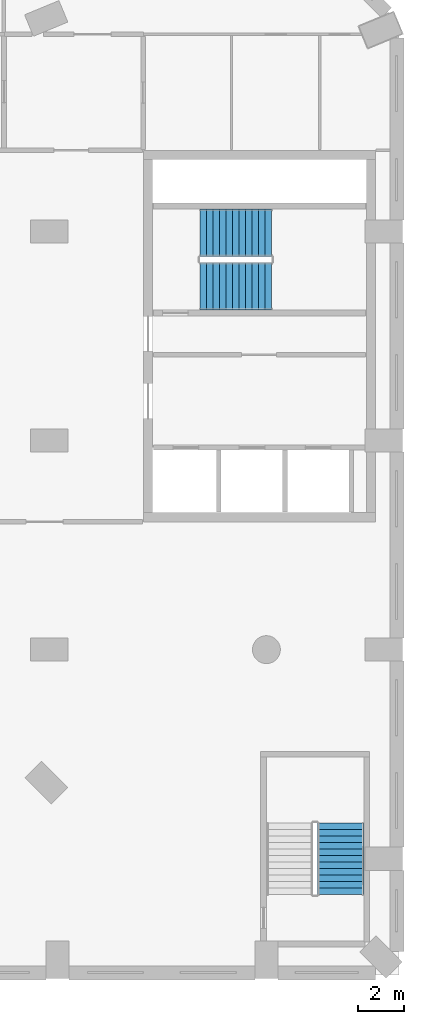
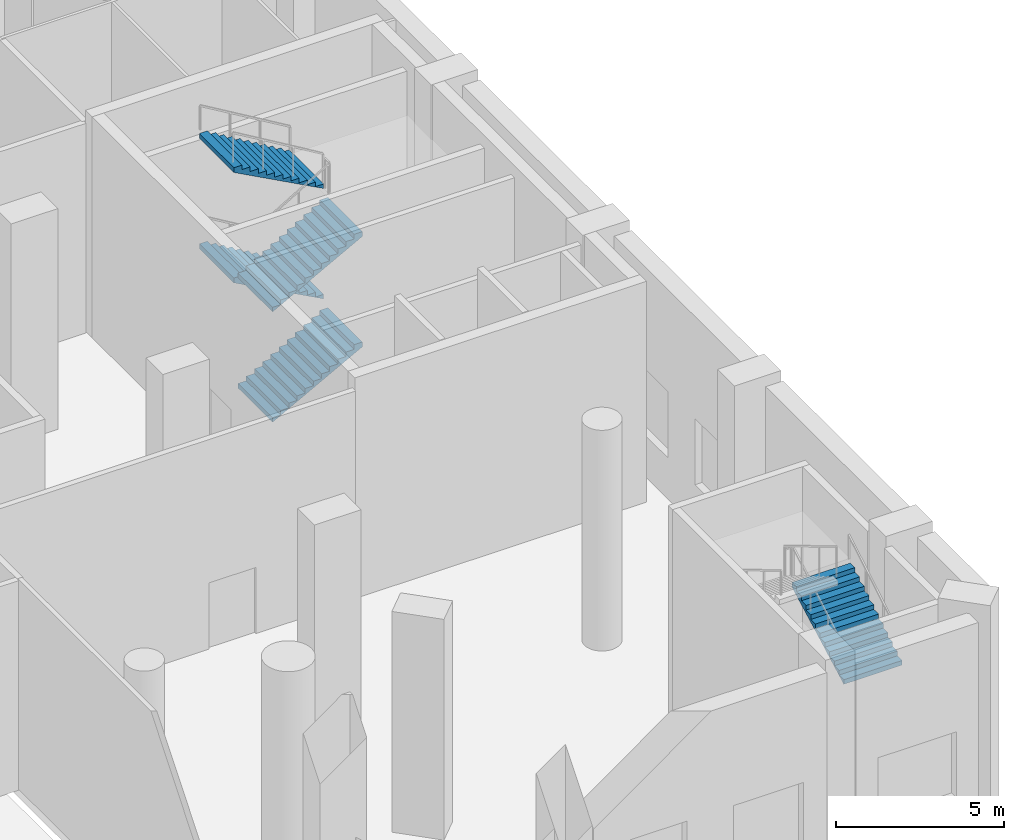
# One storey, part 14 of 18: 5 stair flights, 2 elements without a shape of their own.
"""IFC4 building model written with IfcOpenShell, lengths in metres."""

from ifc_helpers import new_model, si_unit, direction, frame, origin, place, context, subcontext, project, spatial, triangles, material, type_object, element, aggregate, save


model = new_model("IFC4")

# Units and contexts
model_context = context("Model", 3, precision=1e-05, world=origin(), true_north=direction((0.0, 1.0)))
body_context = subcontext(model_context, "Body", "Model", "MODEL_VIEW")
ifc_project = project(units=[si_unit("LENGTHUNIT", "METRE"), si_unit("AREAUNIT", "SQUARE_METRE"), si_unit("VOLUMEUNIT", "CUBIC_METRE"), si_unit("PLANEANGLEUNIT", "RADIAN"), si_unit("MASSUNIT", "GRAM", prefix="KILO")], contexts=[model_context])

# Site, building, storey
site_placement = place(None, origin())
site = spatial("IfcSite", under=ifc_project, at=site_placement, CompositionType="ELEMENT")
building_placement = place(site_placement, origin())
building = spatial("IfcBuilding", under=site, at=building_placement, Name="Cypress Arch Tower", CompositionType="ELEMENT")
storey_placement = place(building_placement, frame((0.0, 0.0, 36.0)))
storey = spatial("IfcBuildingStorey", under=building, at=storey_placement, Name="L04", CompositionType="ELEMENT", Elevation=36.0)

# Stair, stair flight
ifc_material_1 = material(Name="Concrete C40/50", Category="concrete")
stair_type_1 = type_object("IfcStairType", Name="Exit stair ES1667-200", PredefinedType="HALF_TURN_STAIR", material=ifc_material_1)
stair_1_placement = place(storey_placement, origin())
stair_1 = element("IfcStair", 1, at=stair_1_placement, inside=storey, type_object=stair_type_1, Name="L04 Exit stair P4", PredefinedType="HALF_TURN_STAIR")
ifc_material_2 = material(Name="Concrete C40/50", Category="concrete")
stair_flight_type_1 = type_object("IfcStairFlightType", Name="Exit stair flight ES1667-200", PredefinedType="STRAIGHT", material=ifc_material_2)
stair_flight_1_placement = place(storey_placement, frame((36.5, -24.050048828125, 4.0), z_axis=(0.0, 0.0, 1.0), x_axis=(0.0, 1.0, 0.0)))
stair_flight_1 = element("IfcStairFlight", 2, at=stair_flight_1_placement, type_object=stair_flight_type_1, Name="P4 flight 3", NumberOfRisers=12, NumberOfTreads=11, PredefinedType="STRAIGHT", RiserHeight=0.166666667, TreadLength=0.28, context=body_context, shape_type="Tessellation", body=[
    triangles([(0.0, -1.0, 0.0), (0.0, -1.0, 0.166748046875), (0.280029296875, -1.0, 0.166748046875), (0.280029296875, -1.0, 0.333251953125), (0.56005859375, -1.0, 0.333251953125), (0.56005859375, -1.0, 0.5), (0.840087890625, -1.0, 0.5), (0.840087890625, -1.0, 0.666748046875), (1.1201171875, -1.0, 0.666748046875), (1.1201171875, -1.0, 0.833251953125), (1.39990234375, -1.0, 0.833251953125), (1.39990234375, -1.0, 1.0), (1.679931640625, -1.0, 1.0), (1.679931640625, -1.0, 1.166748046875), (1.9599609375, -1.0, 1.166748046875), (1.9599609375, -1.0, 1.333251953125), (2.239990234375, -1.0, 1.333251953125), (2.239990234375, -1.0, 1.5), (2.52001953125, -1.0, 1.5), (2.52001953125, -1.0, 1.666748046875), (2.800048828125, -1.0, 1.666748046875), (2.800048828125, -1.0, 1.833251953125), (3.080078125, -1.0, 1.833251953125), (3.080078125, -1.0, 1.658935546875), (3.080078125, 1.0, 1.658935546875), (3.080078125, 1.0, 1.833251953125), (2.800048828125, 1.0, 1.833251953125), (2.800048828125, 1.0, 1.666748046875), (2.52001953125, 1.0, 1.666748046875), (2.52001953125, 1.0, 1.5), (2.239990234375, 1.0, 1.5), (2.239990234375, 1.0, 1.333251953125), (1.9599609375, 1.0, 1.333251953125), (1.9599609375, 1.0, 1.166748046875), (1.679931640625, 1.0, 1.166748046875), (1.679931640625, 1.0, 1.0), (1.39990234375, 1.0, 1.0), (1.39990234375, 1.0, 0.833251953125), (1.1201171875, 1.0, 0.833251953125), (1.1201171875, 1.0, 0.666748046875), (0.840087890625, 1.0, 0.666748046875), (0.840087890625, 1.0, 0.5), (0.56005859375, 1.0, 0.5), (0.56005859375, 1.0, 0.333251953125), (0.280029296875, 1.0, 0.333251953125), (0.280029296875, 1.0, 0.166748046875), (0.0, 1.0, 0.166748046875), (0.0, 1.0, 0.0), (3.080078125, 0.0, 1.833251953125), (3.080078125, 0.0, 1.658935546875), (2.800048828125, 0.0, 1.833251953125), (2.800048828125, 0.0, 1.666748046875), (2.52001953125, 0.0, 1.666748046875), (2.52001953125, 0.0, 1.5), (2.239990234375, 0.0, 1.5), (2.239990234375, 0.0, 1.333251953125), (1.9599609375, 0.0, 1.333251953125), (1.9599609375, 0.0, 1.166748046875), (1.679931640625, 0.0, 1.166748046875), (1.679931640625, 0.0, 1.0), (1.39990234375, 0.0, 1.0), (1.39990234375, 0.0, 0.833251953125), (1.1201171875, 0.0, 0.833251953125), (1.1201171875, 0.0, 0.666748046875), (0.840087890625, 0.0, 0.666748046875), (0.840087890625, 0.0, 0.5), (0.56005859375, 0.0, 0.5), (0.56005859375, 0.0, 0.333251953125), (0.280029296875, 0.0, 0.333251953125), (0.280029296875, 0.0, 0.166748046875), (0.0, 0.0, 0.166748046875), (0.0, 0.0, 0.0)], [[24, 23, 22], [21, 20, 19], [19, 18, 17], [15, 14, 13], [13, 12, 11], [9, 8, 7], [7, 6, 5], [3, 2, 1], [11, 10, 9], [17, 16, 15], [5, 4, 3], [24, 22, 21], [24, 21, 19], [24, 19, 17], [24, 17, 15], [24, 15, 13], [24, 13, 11], [24, 11, 9], [24, 9, 7], [24, 7, 5], [1, 24, 5], [5, 3, 1], [25, 27, 26], [28, 30, 29], [30, 32, 31], [34, 36, 35], [36, 38, 37], [40, 42, 41], [42, 44, 43], [46, 48, 47], [38, 40, 39], [32, 34, 33], [44, 46, 45], [25, 28, 27], [25, 30, 28], [25, 32, 30], [25, 34, 32], [25, 36, 34], [25, 38, 36], [25, 40, 38], [25, 42, 40], [25, 44, 42], [48, 44, 25], [44, 48, 46], [50, 49, 23], [50, 23, 24], [25, 26, 49], [25, 49, 50], [49, 51, 22], [49, 22, 23], [26, 27, 51], [26, 51, 49], [51, 52, 21], [51, 21, 22], [27, 28, 52], [27, 52, 51], [52, 53, 20], [52, 20, 21], [28, 29, 53], [28, 53, 52], [53, 54, 19], [53, 19, 20], [29, 30, 54], [29, 54, 53], [54, 55, 18], [54, 18, 19], [30, 31, 55], [30, 55, 54], [55, 56, 17], [55, 17, 18], [31, 32, 56], [31, 56, 55], [56, 57, 16], [56, 16, 17], [32, 33, 57], [32, 57, 56], [57, 58, 15], [57, 15, 16], [33, 34, 58], [33, 58, 57], [58, 59, 14], [58, 14, 15], [34, 35, 59], [34, 59, 58], [59, 60, 13], [59, 13, 14], [35, 36, 60], [35, 60, 59], [60, 61, 12], [60, 12, 13], [36, 37, 61], [36, 61, 60], [61, 62, 11], [61, 11, 12], [37, 38, 62], [37, 62, 61], [62, 63, 10], [62, 10, 11], [38, 39, 63], [38, 63, 62], [63, 64, 9], [63, 9, 10], [39, 40, 64], [39, 64, 63], [64, 65, 8], [64, 8, 9], [40, 41, 65], [40, 65, 64], [65, 66, 7], [65, 7, 8], [41, 42, 66], [41, 66, 65], [66, 67, 6], [66, 6, 7], [42, 43, 67], [42, 67, 66], [67, 68, 5], [67, 5, 6], [43, 44, 68], [43, 68, 67], [68, 69, 4], [68, 4, 5], [44, 45, 69], [44, 69, 68], [69, 70, 3], [69, 3, 4], [45, 46, 70], [45, 70, 69], [70, 71, 2], [70, 2, 3], [46, 47, 71], [46, 71, 70], [71, 72, 1], [71, 1, 2], [47, 48, 72], [47, 72, 71], [72, 50, 24], [72, 24, 1], [48, 25, 50], [48, 50, 72]], closed=True),
])
aggregate(stair_1, [stair_flight_1])

# Stair, stair flights
ifc_material_3 = material(Name="Concrete C40/50", Category="concrete")
stair_type_2 = type_object("IfcStairType", Name="Exit stair ES1667-205", PredefinedType="HALF_TURN_STAIR", material=ifc_material_3)
stair_2_placement = place(storey_placement, origin())
stair_2 = element("IfcStair", 3, at=stair_2_placement, inside=storey, type_object=stair_type_2, Name="L04 Exit stair P3", PredefinedType="HALF_TURN_STAIR")
ifc_material_4 = material(Name="Concrete C40/50", Category="concrete")
stair_flight_type_2 = type_object("IfcStairFlightType", Name="Exit stair flight ES1667-205", PredefinedType="STRAIGHT", material=ifc_material_4)
stair_flight_2_placement = place(storey_placement, frame((30.449951171875, 2.14990234375, 0.0), z_axis=(0.0, 0.0, 1.0), x_axis=(1.0, 0.0, 0.0)))
stair_flight_2 = element("IfcStairFlight", 4, at=stair_flight_2_placement, type_object=stair_flight_type_2, Name="P3 flight 1", NumberOfRisers=12, NumberOfTreads=11, PredefinedType="STRAIGHT", RiserHeight=0.166666667, TreadLength=0.28, context=body_context, shape_type="Tessellation", body=[
    triangles([(0.0, -1.02490234375, 0.0), (0.0, -1.02490234375, 0.166748046875), (0.280029296875, -1.02490234375, 0.166748046875), (0.280029296875, -1.02490234375, 0.333251953125), (0.56005859375, -1.02490234375, 0.333251953125), (0.56005859375, -1.02490234375, 0.5), (0.840087890625, -1.02490234375, 0.5), (0.840087890625, -1.02490234375, 0.666748046875), (1.1201171875, -1.02490234375, 0.666748046875), (1.1201171875, -1.02490234375, 0.833251953125), (1.39990234375, -1.02490234375, 0.833251953125), (1.39990234375, -1.02490234375, 1.0), (1.679931640625, -1.02490234375, 1.0), (1.679931640625, -1.02490234375, 1.166748046875), (1.9599609375, -1.02490234375, 1.166748046875), (1.9599609375, -1.02490234375, 1.333251953125), (2.239990234375, -1.02490234375, 1.333251953125), (2.239990234375, -1.02490234375, 1.5), (2.52001953125, -1.02490234375, 1.5), (2.52001953125, -1.02490234375, 1.666748046875), (2.800048828125, -1.02490234375, 1.666748046875), (2.800048828125, -1.02490234375, 1.833251953125), (3.080078125, -1.02490234375, 1.833251953125), (3.080078125, -1.02490234375, 1.658935546875), (3.080078125, 1.02490234375, 1.658935546875), (3.080078125, 1.02490234375, 1.833251953125), (2.800048828125, 1.02490234375, 1.833251953125), (2.800048828125, 1.02490234375, 1.666748046875), (2.52001953125, 1.02490234375, 1.666748046875), (2.52001953125, 1.02490234375, 1.5), (2.239990234375, 1.02490234375, 1.5), (2.239990234375, 1.02490234375, 1.333251953125), (1.9599609375, 1.02490234375, 1.333251953125), (1.9599609375, 1.02490234375, 1.166748046875), (1.679931640625, 1.02490234375, 1.166748046875), (1.679931640625, 1.02490234375, 1.0), (1.39990234375, 1.02490234375, 1.0), (1.39990234375, 1.02490234375, 0.833251953125), (1.1201171875, 1.02490234375, 0.833251953125), (1.1201171875, 1.02490234375, 0.666748046875), (0.840087890625, 1.02490234375, 0.666748046875), (0.840087890625, 1.02490234375, 0.5), (0.56005859375, 1.02490234375, 0.5), (0.56005859375, 1.02490234375, 0.333251953125), (0.280029296875, 1.02490234375, 0.333251953125), (0.280029296875, 1.02490234375, 0.166748046875), (0.0, 1.02490234375, 0.166748046875), (0.0, 1.02490234375, 0.0), (3.080078125, 0.0, 1.833251953125), (3.080078125, 0.0, 1.658935546875), (2.800048828125, 0.0, 1.833251953125), (2.800048828125, 0.0, 1.666748046875), (2.52001953125, 0.0, 1.666748046875), (2.52001953125, 0.0, 1.5), (2.239990234375, 0.0, 1.5), (2.239990234375, 0.0, 1.333251953125), (1.9599609375, 0.0, 1.333251953125), (1.9599609375, 0.0, 1.166748046875), (1.679931640625, 0.0, 1.166748046875), (1.679931640625, 0.0, 1.0), (1.39990234375, 0.0, 1.0), (1.39990234375, 0.0, 0.833251953125), (1.1201171875, 0.0, 0.833251953125), (1.1201171875, 0.0, 0.666748046875), (0.840087890625, 0.0, 0.666748046875), (0.840087890625, 0.0, 0.5), (0.56005859375, 0.0, 0.5), (0.56005859375, 0.0, 0.333251953125), (0.280029296875, 0.0, 0.333251953125), (0.280029296875, 0.0, 0.166748046875), (0.0, 0.0, 0.166748046875), (0.0, 0.0, 0.0)], [[24, 23, 22], [21, 20, 19], [19, 18, 17], [15, 14, 13], [13, 12, 11], [9, 8, 7], [7, 6, 5], [3, 2, 1], [11, 10, 9], [17, 16, 15], [5, 4, 3], [24, 22, 21], [24, 21, 19], [24, 19, 17], [24, 17, 15], [24, 15, 13], [24, 13, 11], [24, 11, 9], [24, 9, 7], [24, 7, 5], [1, 24, 5], [5, 3, 1], [25, 27, 26], [28, 30, 29], [30, 32, 31], [34, 36, 35], [36, 38, 37], [40, 42, 41], [42, 44, 43], [46, 48, 47], [38, 40, 39], [32, 34, 33], [44, 46, 45], [25, 28, 27], [25, 30, 28], [25, 32, 30], [25, 34, 32], [25, 36, 34], [25, 38, 36], [25, 40, 38], [25, 42, 40], [25, 44, 42], [48, 44, 25], [44, 48, 46], [50, 49, 23], [50, 23, 24], [25, 26, 49], [25, 49, 50], [49, 51, 22], [49, 22, 23], [26, 27, 51], [26, 51, 49], [51, 52, 21], [51, 21, 22], [27, 28, 52], [27, 52, 51], [52, 53, 20], [52, 20, 21], [28, 29, 53], [28, 53, 52], [53, 54, 19], [53, 19, 20], [29, 30, 54], [29, 54, 53], [54, 55, 18], [54, 18, 19], [30, 31, 55], [30, 55, 54], [55, 56, 17], [55, 17, 18], [31, 32, 56], [31, 56, 55], [56, 57, 16], [56, 16, 17], [32, 33, 57], [32, 57, 56], [57, 58, 15], [57, 15, 16], [33, 34, 58], [33, 58, 57], [58, 59, 14], [58, 14, 15], [34, 35, 59], [34, 59, 58], [59, 60, 13], [59, 13, 14], [35, 36, 60], [35, 60, 59], [60, 61, 12], [60, 12, 13], [36, 37, 61], [36, 61, 60], [61, 62, 11], [61, 11, 12], [37, 38, 62], [37, 62, 61], [62, 63, 10], [62, 10, 11], [38, 39, 63], [38, 63, 62], [63, 64, 9], [63, 9, 10], [39, 40, 64], [39, 64, 63], [64, 65, 8], [64, 8, 9], [40, 41, 65], [40, 65, 64], [65, 66, 7], [65, 7, 8], [41, 42, 66], [41, 66, 65], [66, 67, 6], [66, 6, 7], [42, 43, 67], [42, 67, 66], [67, 68, 5], [67, 5, 6], [43, 44, 68], [43, 68, 67], [68, 69, 4], [68, 4, 5], [44, 45, 69], [44, 69, 68], [69, 70, 3], [69, 3, 4], [45, 46, 70], [45, 70, 69], [70, 71, 2], [70, 2, 3], [46, 47, 71], [46, 71, 70], [71, 72, 1], [71, 1, 2], [47, 48, 72], [47, 72, 71], [72, 50, 24], [72, 24, 1], [48, 25, 50], [48, 50, 72]], closed=True),
])
stair_flight_3_placement = place(storey_placement, frame((33.530029296875, 4.449951171875, 2.0), z_axis=(0.0, 0.0, 1.0), x_axis=(-1.0, 0.0, 0.0)))
stair_flight_3 = element("IfcStairFlight", 5, at=stair_flight_3_placement, type_object=stair_flight_type_2, Name="P3 flight 2", NumberOfRisers=12, NumberOfTreads=11, PredefinedType="STRAIGHT", RiserHeight=0.166666667, TreadLength=0.28, context=body_context, shape_type="Tessellation", body=[
    triangles([(0.0, -1.02490234375, 0.0), (0.0, -1.02490234375, 0.166748046875), (0.280029296875, -1.02490234375, 0.166748046875), (0.280029296875, -1.02490234375, 0.333251953125), (0.56005859375, -1.02490234375, 0.333251953125), (0.56005859375, -1.02490234375, 0.5), (0.840087890625, -1.02490234375, 0.5), (0.840087890625, -1.02490234375, 0.666748046875), (1.1201171875, -1.02490234375, 0.666748046875), (1.1201171875, -1.02490234375, 0.833251953125), (1.39990234375, -1.02490234375, 0.833251953125), (1.39990234375, -1.02490234375, 1.0), (1.679931640625, -1.02490234375, 1.0), (1.679931640625, -1.02490234375, 1.166748046875), (1.9599609375, -1.02490234375, 1.166748046875), (1.9599609375, -1.02490234375, 1.333251953125), (2.239990234375, -1.02490234375, 1.333251953125), (2.239990234375, -1.02490234375, 1.5), (2.52001953125, -1.02490234375, 1.5), (2.52001953125, -1.02490234375, 1.666748046875), (2.800048828125, -1.02490234375, 1.666748046875), (2.800048828125, -1.02490234375, 1.833251953125), (3.080078125, -1.02490234375, 1.833251953125), (3.080078125, -1.02490234375, 1.658935546875), (3.080078125, 1.02490234375, 1.658935546875), (3.080078125, 1.02490234375, 1.833251953125), (2.800048828125, 1.02490234375, 1.833251953125), (2.800048828125, 1.02490234375, 1.666748046875), (2.52001953125, 1.02490234375, 1.666748046875), (2.52001953125, 1.02490234375, 1.5), (2.239990234375, 1.02490234375, 1.5), (2.239990234375, 1.02490234375, 1.333251953125), (1.9599609375, 1.02490234375, 1.333251953125), (1.9599609375, 1.02490234375, 1.166748046875), (1.679931640625, 1.02490234375, 1.166748046875), (1.679931640625, 1.02490234375, 1.0), (1.39990234375, 1.02490234375, 1.0), (1.39990234375, 1.02490234375, 0.833251953125), (1.1201171875, 1.02490234375, 0.833251953125), (1.1201171875, 1.02490234375, 0.666748046875), (0.840087890625, 1.02490234375, 0.666748046875), (0.840087890625, 1.02490234375, 0.5), (0.56005859375, 1.02490234375, 0.5), (0.56005859375, 1.02490234375, 0.333251953125), (0.280029296875, 1.02490234375, 0.333251953125), (0.280029296875, 1.02490234375, 0.166748046875), (0.0, 1.02490234375, 0.166748046875), (0.0, 1.02490234375, 0.0), (3.080078125, 0.0, 1.833251953125), (3.080078125, 0.0, 1.658935546875), (2.800048828125, 0.0, 1.833251953125), (2.800048828125, 0.0, 1.666748046875), (2.52001953125, 0.0, 1.666748046875), (2.52001953125, 0.0, 1.5), (2.239990234375, 0.0, 1.5), (2.239990234375, 0.0, 1.333251953125), (1.9599609375, 0.0, 1.333251953125), (1.9599609375, 0.0, 1.166748046875), (1.679931640625, 0.0, 1.166748046875), (1.679931640625, 0.0, 1.0), (1.39990234375, 0.0, 1.0), (1.39990234375, 0.0, 0.833251953125), (1.1201171875, 0.0, 0.833251953125), (1.1201171875, 0.0, 0.666748046875), (0.840087890625, 0.0, 0.666748046875), (0.840087890625, 0.0, 0.5), (0.56005859375, 0.0, 0.5), (0.56005859375, 0.0, 0.333251953125), (0.280029296875, 0.0, 0.333251953125), (0.280029296875, 0.0, 0.166748046875), (0.0, 0.0, 0.166748046875), (0.0, 0.0, 0.0)], [[24, 23, 22], [21, 20, 19], [19, 18, 17], [15, 14, 13], [13, 12, 11], [9, 8, 7], [7, 6, 5], [3, 2, 1], [11, 10, 9], [17, 16, 15], [5, 4, 3], [24, 22, 21], [24, 21, 19], [24, 19, 17], [24, 17, 15], [24, 15, 13], [24, 13, 11], [24, 11, 9], [24, 9, 7], [24, 7, 5], [1, 24, 5], [5, 3, 1], [25, 27, 26], [28, 30, 29], [30, 32, 31], [34, 36, 35], [36, 38, 37], [40, 42, 41], [42, 44, 43], [46, 48, 47], [38, 40, 39], [32, 34, 33], [44, 46, 45], [25, 28, 27], [25, 30, 28], [25, 32, 30], [25, 34, 32], [25, 36, 34], [25, 38, 36], [25, 40, 38], [25, 42, 40], [25, 44, 42], [48, 44, 25], [44, 48, 46], [50, 49, 23], [50, 23, 24], [25, 26, 49], [25, 49, 50], [49, 51, 22], [49, 22, 23], [26, 27, 51], [26, 51, 49], [51, 52, 21], [51, 21, 22], [27, 28, 52], [27, 52, 51], [52, 53, 20], [52, 20, 21], [28, 29, 53], [28, 53, 52], [53, 54, 19], [53, 19, 20], [29, 30, 54], [29, 54, 53], [54, 55, 18], [54, 18, 19], [30, 31, 55], [30, 55, 54], [55, 56, 17], [55, 17, 18], [31, 32, 56], [31, 56, 55], [56, 57, 16], [56, 16, 17], [32, 33, 57], [32, 57, 56], [57, 58, 15], [57, 15, 16], [33, 34, 58], [33, 58, 57], [58, 59, 14], [58, 14, 15], [34, 35, 59], [34, 59, 58], [59, 60, 13], [59, 13, 14], [35, 36, 60], [35, 60, 59], [60, 61, 12], [60, 12, 13], [36, 37, 61], [36, 61, 60], [61, 62, 11], [61, 11, 12], [37, 38, 62], [37, 62, 61], [62, 63, 10], [62, 10, 11], [38, 39, 63], [38, 63, 62], [63, 64, 9], [63, 9, 10], [39, 40, 64], [39, 64, 63], [64, 65, 8], [64, 8, 9], [40, 41, 65], [40, 65, 64], [65, 66, 7], [65, 7, 8], [41, 42, 66], [41, 66, 65], [66, 67, 6], [66, 6, 7], [42, 43, 67], [42, 67, 66], [67, 68, 5], [67, 5, 6], [43, 44, 68], [43, 68, 67], [68, 69, 4], [68, 4, 5], [44, 45, 69], [44, 69, 68], [69, 70, 3], [69, 3, 4], [45, 46, 70], [45, 70, 69], [70, 71, 2], [70, 2, 3], [46, 47, 71], [46, 71, 70], [71, 72, 1], [71, 1, 2], [47, 48, 72], [47, 72, 71], [72, 50, 24], [72, 24, 1], [48, 25, 50], [48, 50, 72]], closed=True),
])
stair_flight_4_placement = place(storey_placement, frame((30.449951171875, 2.14990234375, 4.0), z_axis=(0.0, 0.0, 1.0), x_axis=(1.0, 0.0, 0.0)))
stair_flight_4 = element("IfcStairFlight", 6, at=stair_flight_4_placement, type_object=stair_flight_type_2, Name="P3 flight 3", NumberOfRisers=12, NumberOfTreads=11, PredefinedType="STRAIGHT", RiserHeight=0.166666667, TreadLength=0.28, context=body_context, shape_type="Tessellation", body=[
    triangles([(0.0, -1.02490234375, 0.0), (0.0, -1.02490234375, 0.166748046875), (0.280029296875, -1.02490234375, 0.166748046875), (0.280029296875, -1.02490234375, 0.333251953125), (0.56005859375, -1.02490234375, 0.333251953125), (0.56005859375, -1.02490234375, 0.5), (0.840087890625, -1.02490234375, 0.5), (0.840087890625, -1.02490234375, 0.666748046875), (1.1201171875, -1.02490234375, 0.666748046875), (1.1201171875, -1.02490234375, 0.833251953125), (1.39990234375, -1.02490234375, 0.833251953125), (1.39990234375, -1.02490234375, 1.0), (1.679931640625, -1.02490234375, 1.0), (1.679931640625, -1.02490234375, 1.166748046875), (1.9599609375, -1.02490234375, 1.166748046875), (1.9599609375, -1.02490234375, 1.333251953125), (2.239990234375, -1.02490234375, 1.333251953125), (2.239990234375, -1.02490234375, 1.5), (2.52001953125, -1.02490234375, 1.5), (2.52001953125, -1.02490234375, 1.666748046875), (2.800048828125, -1.02490234375, 1.666748046875), (2.800048828125, -1.02490234375, 1.833251953125), (3.080078125, -1.02490234375, 1.833251953125), (3.080078125, -1.02490234375, 1.658935546875), (3.080078125, 1.02490234375, 1.658935546875), (3.080078125, 1.02490234375, 1.833251953125), (2.800048828125, 1.02490234375, 1.833251953125), (2.800048828125, 1.02490234375, 1.666748046875), (2.52001953125, 1.02490234375, 1.666748046875), (2.52001953125, 1.02490234375, 1.5), (2.239990234375, 1.02490234375, 1.5), (2.239990234375, 1.02490234375, 1.333251953125), (1.9599609375, 1.02490234375, 1.333251953125), (1.9599609375, 1.02490234375, 1.166748046875), (1.679931640625, 1.02490234375, 1.166748046875), (1.679931640625, 1.02490234375, 1.0), (1.39990234375, 1.02490234375, 1.0), (1.39990234375, 1.02490234375, 0.833251953125), (1.1201171875, 1.02490234375, 0.833251953125), (1.1201171875, 1.02490234375, 0.666748046875), (0.840087890625, 1.02490234375, 0.666748046875), (0.840087890625, 1.02490234375, 0.5), (0.56005859375, 1.02490234375, 0.5), (0.56005859375, 1.02490234375, 0.333251953125), (0.280029296875, 1.02490234375, 0.333251953125), (0.280029296875, 1.02490234375, 0.166748046875), (0.0, 1.02490234375, 0.166748046875), (0.0, 1.02490234375, 0.0), (3.080078125, 0.0, 1.833251953125), (3.080078125, 0.0, 1.658935546875), (2.800048828125, 0.0, 1.833251953125), (2.800048828125, 0.0, 1.666748046875), (2.52001953125, 0.0, 1.666748046875), (2.52001953125, 0.0, 1.5), (2.239990234375, 0.0, 1.5), (2.239990234375, 0.0, 1.333251953125), (1.9599609375, 0.0, 1.333251953125), (1.9599609375, 0.0, 1.166748046875), (1.679931640625, 0.0, 1.166748046875), (1.679931640625, 0.0, 1.0), (1.39990234375, 0.0, 1.0), (1.39990234375, 0.0, 0.833251953125), (1.1201171875, 0.0, 0.833251953125), (1.1201171875, 0.0, 0.666748046875), (0.840087890625, 0.0, 0.666748046875), (0.840087890625, 0.0, 0.5), (0.56005859375, 0.0, 0.5), (0.56005859375, 0.0, 0.333251953125), (0.280029296875, 0.0, 0.333251953125), (0.280029296875, 0.0, 0.166748046875), (0.0, 0.0, 0.166748046875), (0.0, 0.0, 0.0)], [[24, 23, 22], [21, 20, 19], [19, 18, 17], [15, 14, 13], [13, 12, 11], [9, 8, 7], [7, 6, 5], [3, 2, 1], [11, 10, 9], [17, 16, 15], [5, 4, 3], [24, 22, 21], [24, 21, 19], [24, 19, 17], [24, 17, 15], [24, 15, 13], [24, 13, 11], [24, 11, 9], [24, 9, 7], [24, 7, 5], [1, 24, 5], [5, 3, 1], [25, 27, 26], [28, 30, 29], [30, 32, 31], [34, 36, 35], [36, 38, 37], [40, 42, 41], [42, 44, 43], [46, 48, 47], [38, 40, 39], [32, 34, 33], [44, 46, 45], [25, 28, 27], [25, 30, 28], [25, 32, 30], [25, 34, 32], [25, 36, 34], [25, 38, 36], [25, 40, 38], [25, 42, 40], [25, 44, 42], [48, 44, 25], [44, 48, 46], [50, 49, 23], [50, 23, 24], [25, 26, 49], [25, 49, 50], [49, 51, 22], [49, 22, 23], [26, 27, 51], [26, 51, 49], [51, 52, 21], [51, 21, 22], [27, 28, 52], [27, 52, 51], [52, 53, 20], [52, 20, 21], [28, 29, 53], [28, 53, 52], [53, 54, 19], [53, 19, 20], [29, 30, 54], [29, 54, 53], [54, 55, 18], [54, 18, 19], [30, 31, 55], [30, 55, 54], [55, 56, 17], [55, 17, 18], [31, 32, 56], [31, 56, 55], [56, 57, 16], [56, 16, 17], [32, 33, 57], [32, 57, 56], [57, 58, 15], [57, 15, 16], [33, 34, 58], [33, 58, 57], [58, 59, 14], [58, 14, 15], [34, 35, 59], [34, 59, 58], [59, 60, 13], [59, 13, 14], [35, 36, 60], [35, 60, 59], [60, 61, 12], [60, 12, 13], [36, 37, 61], [36, 61, 60], [61, 62, 11], [61, 11, 12], [37, 38, 62], [37, 62, 61], [62, 63, 10], [62, 10, 11], [38, 39, 63], [38, 63, 62], [63, 64, 9], [63, 9, 10], [39, 40, 64], [39, 64, 63], [64, 65, 8], [64, 8, 9], [40, 41, 65], [40, 65, 64], [65, 66, 7], [65, 7, 8], [41, 42, 66], [41, 66, 65], [66, 67, 6], [66, 6, 7], [42, 43, 67], [42, 67, 66], [67, 68, 5], [67, 5, 6], [43, 44, 68], [43, 68, 67], [68, 69, 4], [68, 4, 5], [44, 45, 69], [44, 69, 68], [69, 70, 3], [69, 3, 4], [45, 46, 70], [45, 70, 69], [70, 71, 2], [70, 2, 3], [46, 47, 71], [46, 71, 70], [71, 72, 1], [71, 1, 2], [47, 48, 72], [47, 72, 71], [72, 50, 24], [72, 24, 1], [48, 25, 50], [48, 50, 72]], closed=True),
])
stair_flight_5_placement = place(storey_placement, frame((33.530029296875, 4.449951171875, 6.0), z_axis=(0.0, 0.0, 1.0), x_axis=(-1.0, 0.0, 0.0)))
stair_flight_5 = element("IfcStairFlight", 7, at=stair_flight_5_placement, type_object=stair_flight_type_2, Name="P3 flight 4", NumberOfRisers=12, NumberOfTreads=11, PredefinedType="STRAIGHT", RiserHeight=0.166666667, TreadLength=0.28, context=body_context, shape_type="Tessellation", body=[
    triangles([(0.0, -1.02490234375, 0.0), (0.0, -1.02490234375, 0.166748046875), (0.280029296875, -1.02490234375, 0.166748046875), (0.280029296875, -1.02490234375, 0.333251953125), (0.56005859375, -1.02490234375, 0.333251953125), (0.56005859375, -1.02490234375, 0.5), (0.840087890625, -1.02490234375, 0.5), (0.840087890625, -1.02490234375, 0.666748046875), (1.1201171875, -1.02490234375, 0.666748046875), (1.1201171875, -1.02490234375, 0.833251953125), (1.39990234375, -1.02490234375, 0.833251953125), (1.39990234375, -1.02490234375, 1.0), (1.679931640625, -1.02490234375, 1.0), (1.679931640625, -1.02490234375, 1.166748046875), (1.9599609375, -1.02490234375, 1.166748046875), (1.9599609375, -1.02490234375, 1.333251953125), (2.239990234375, -1.02490234375, 1.333251953125), (2.239990234375, -1.02490234375, 1.5), (2.52001953125, -1.02490234375, 1.5), (2.52001953125, -1.02490234375, 1.666748046875), (2.800048828125, -1.02490234375, 1.666748046875), (2.800048828125, -1.02490234375, 1.833251953125), (3.080078125, -1.02490234375, 1.833251953125), (3.080078125, -1.02490234375, 1.658935546875), (3.080078125, 1.02490234375, 1.658935546875), (3.080078125, 1.02490234375, 1.833251953125), (2.800048828125, 1.02490234375, 1.833251953125), (2.800048828125, 1.02490234375, 1.666748046875), (2.52001953125, 1.02490234375, 1.666748046875), (2.52001953125, 1.02490234375, 1.5), (2.239990234375, 1.02490234375, 1.5), (2.239990234375, 1.02490234375, 1.333251953125), (1.9599609375, 1.02490234375, 1.333251953125), (1.9599609375, 1.02490234375, 1.166748046875), (1.679931640625, 1.02490234375, 1.166748046875), (1.679931640625, 1.02490234375, 1.0), (1.39990234375, 1.02490234375, 1.0), (1.39990234375, 1.02490234375, 0.833251953125), (1.1201171875, 1.02490234375, 0.833251953125), (1.1201171875, 1.02490234375, 0.666748046875), (0.840087890625, 1.02490234375, 0.666748046875), (0.840087890625, 1.02490234375, 0.5), (0.56005859375, 1.02490234375, 0.5), (0.56005859375, 1.02490234375, 0.333251953125), (0.280029296875, 1.02490234375, 0.333251953125), (0.280029296875, 1.02490234375, 0.166748046875), (0.0, 1.02490234375, 0.166748046875), (0.0, 1.02490234375, 0.0), (3.080078125, 0.0, 1.833251953125), (3.080078125, 0.0, 1.658935546875), (2.800048828125, 0.0, 1.833251953125), (2.800048828125, 0.0, 1.666748046875), (2.52001953125, 0.0, 1.666748046875), (2.52001953125, 0.0, 1.5), (2.239990234375, 0.0, 1.5), (2.239990234375, 0.0, 1.333251953125), (1.9599609375, 0.0, 1.333251953125), (1.9599609375, 0.0, 1.166748046875), (1.679931640625, 0.0, 1.166748046875), (1.679931640625, 0.0, 1.0), (1.39990234375, 0.0, 1.0), (1.39990234375, 0.0, 0.833251953125), (1.1201171875, 0.0, 0.833251953125), (1.1201171875, 0.0, 0.666748046875), (0.840087890625, 0.0, 0.666748046875), (0.840087890625, 0.0, 0.5), (0.56005859375, 0.0, 0.5), (0.56005859375, 0.0, 0.333251953125), (0.280029296875, 0.0, 0.333251953125), (0.280029296875, 0.0, 0.166748046875), (0.0, 0.0, 0.166748046875), (0.0, 0.0, 0.0)], [[24, 23, 22], [21, 20, 19], [19, 18, 17], [15, 14, 13], [13, 12, 11], [9, 8, 7], [7, 6, 5], [3, 2, 1], [11, 10, 9], [17, 16, 15], [5, 4, 3], [24, 22, 21], [24, 21, 19], [24, 19, 17], [24, 17, 15], [24, 15, 13], [24, 13, 11], [24, 11, 9], [24, 9, 7], [24, 7, 5], [1, 24, 5], [5, 3, 1], [25, 27, 26], [28, 30, 29], [30, 32, 31], [34, 36, 35], [36, 38, 37], [40, 42, 41], [42, 44, 43], [46, 48, 47], [38, 40, 39], [32, 34, 33], [44, 46, 45], [25, 28, 27], [25, 30, 28], [25, 32, 30], [25, 34, 32], [25, 36, 34], [25, 38, 36], [25, 40, 38], [25, 42, 40], [25, 44, 42], [48, 44, 25], [44, 48, 46], [50, 49, 23], [50, 23, 24], [25, 26, 49], [25, 49, 50], [49, 51, 22], [49, 22, 23], [26, 27, 51], [26, 51, 49], [51, 52, 21], [51, 21, 22], [27, 28, 52], [27, 52, 51], [52, 53, 20], [52, 20, 21], [28, 29, 53], [28, 53, 52], [53, 54, 19], [53, 19, 20], [29, 30, 54], [29, 54, 53], [54, 55, 18], [54, 18, 19], [30, 31, 55], [30, 55, 54], [55, 56, 17], [55, 17, 18], [31, 32, 56], [31, 56, 55], [56, 57, 16], [56, 16, 17], [32, 33, 57], [32, 57, 56], [57, 58, 15], [57, 15, 16], [33, 34, 58], [33, 58, 57], [58, 59, 14], [58, 14, 15], [34, 35, 59], [34, 59, 58], [59, 60, 13], [59, 13, 14], [35, 36, 60], [35, 60, 59], [60, 61, 12], [60, 12, 13], [36, 37, 61], [36, 61, 60], [61, 62, 11], [61, 11, 12], [37, 38, 62], [37, 62, 61], [62, 63, 10], [62, 10, 11], [38, 39, 63], [38, 63, 62], [63, 64, 9], [63, 9, 10], [39, 40, 64], [39, 64, 63], [64, 65, 8], [64, 8, 9], [40, 41, 65], [40, 65, 64], [65, 66, 7], [65, 7, 8], [41, 42, 66], [41, 66, 65], [66, 67, 6], [66, 6, 7], [42, 43, 67], [42, 67, 66], [67, 68, 5], [67, 5, 6], [43, 44, 68], [43, 68, 67], [68, 69, 4], [68, 4, 5], [44, 45, 69], [44, 69, 68], [69, 70, 3], [69, 3, 4], [45, 46, 70], [45, 70, 69], [70, 71, 2], [70, 2, 3], [46, 47, 71], [46, 71, 70], [71, 72, 1], [71, 1, 2], [47, 48, 72], [47, 72, 71], [72, 50, 24], [72, 24, 1], [48, 25, 50], [48, 50, 72]], closed=True),
])
aggregate(stair_2, [stair_flight_2, stair_flight_3, stair_flight_4, stair_flight_5])

save(model, "model.ifc")
